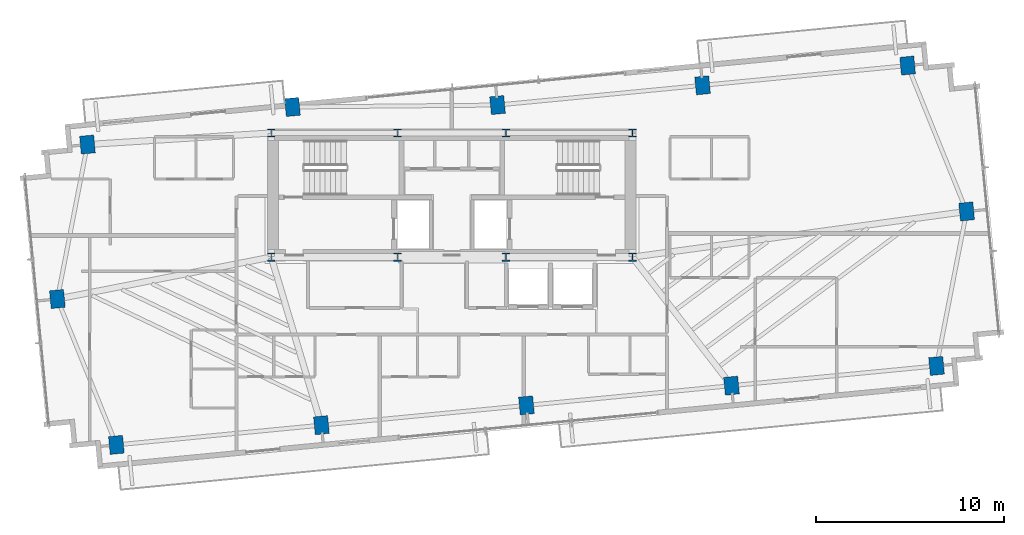
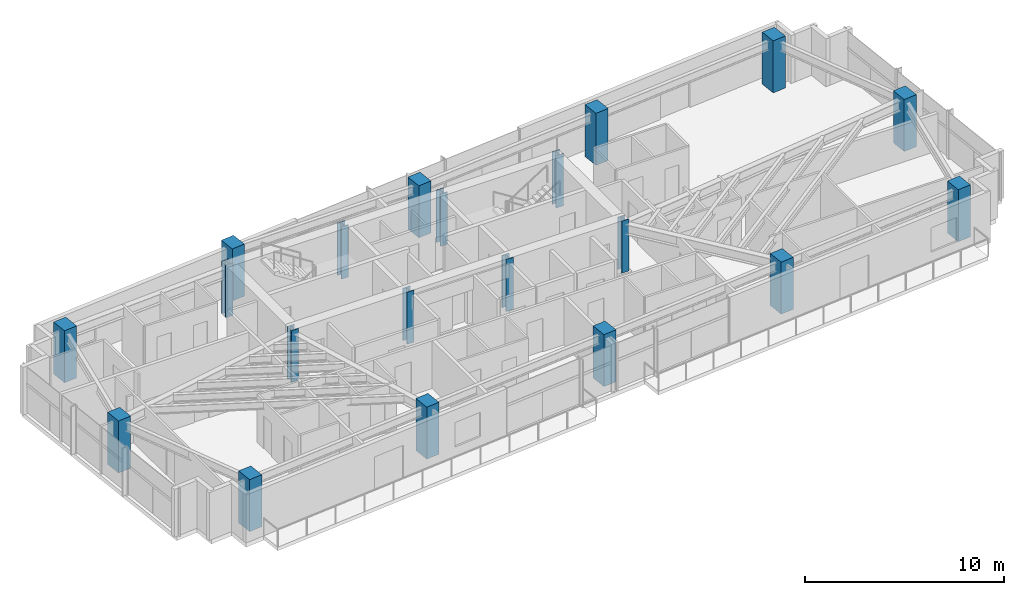
# One storey, part 1 of 18: 20 columns.
"""IFC4 building model written with IfcOpenShell, lengths in metres."""

import ifcopenshell
import ifcopenshell.guid

model = None  # the IFC model being written
_history = None  # IfcOwnerHistory: only IFC2X3 demands one
_inside = {}  # id of a spatial element -> (the spatial element, [elements in it])
_under = {}  # id of a project, library or spatial element -> (it, [spatial elements below it])
_declared = {}  # id of a project -> (the project, [libraries it declares])
_typed = {}  # id of a type object -> (the type object, [elements of that type])
_made_of = {}  # id of a material, layer set ... -> (it, [elements and type objects made of it])


def new_model(schema):
    """Start an empty IFC model of exactly this schema.

    Asked for "IFC4X3", IfcOpenShell would pick the latest addendum, in which some entities
    have other attributes; the version numbers below select the first issue.
    IFC2X3 requires an IfcOwnerHistory on every rooted entity: one is made here for all.
    """
    global model, _history
    if schema == "IFC4X3":
        model = ifcopenshell.file(schema_version=(4, 3, 0, 0))
    else:
        model = ifcopenshell.file(schema=schema)
    _inside.clear()
    _under.clear()
    _declared.clear()
    _typed.clear()
    _made_of.clear()
    _history = None
    if model.schema == "IFC2X3":
        org = make("IfcOrganization", Name="unknown")
        user = make(
            "IfcPersonAndOrganization",
            ThePerson=make("IfcPerson", FamilyName="unknown"),
            TheOrganization=org,
        )
        app = make(
            "IfcApplication",
            ApplicationDeveloper=org,
            Version="unknown",
            ApplicationFullName="unknown",
            ApplicationIdentifier="unknown",
        )
        _history = make(
            "IfcOwnerHistory",
            OwningUser=user,
            OwningApplication=app,
            ChangeAction="ADDED",
            CreationDate=0,
        )
    return model


def make(cls, **values):
    """One entity of the class cls with the attributes given. An attribute that is None is left unset."""
    return model.create_entity(
        cls, **{name: value for name, value in values.items() if value is not None}
    )


def rooted(cls, **values):
    """An entity with a GlobalId (a new one), such as an element, a storey or a relation."""
    return make(cls, GlobalId=ifcopenshell.guid.new(), OwnerHistory=_history, **values)


def si_unit(unit_type, name, prefix=None):
    """IfcSIUnit, for example si_unit("LENGTHUNIT", "METRE", prefix="MILLI")."""
    return make("IfcSIUnit", UnitType=unit_type, Prefix=prefix, Name=name)


def assignment(units):
    """IfcUnitAssignment: the units of a project."""
    return None if units is None else make("IfcUnitAssignment", Units=units)


def point(xyz):
    """IfcCartesianPoint."""
    return None if xyz is None else make("IfcCartesianPoint", Coordinates=xyz)


def direction(xyz):
    """IfcDirection."""
    return None if xyz is None else make("IfcDirection", DirectionRatios=xyz)


def frame(location, z_axis=None, x_axis=None):
    """IfcAxis2Placement3D, a coordinate frame: its origin and axes. An axis left out is left unset."""
    return make(
        "IfcAxis2Placement3D",
        Location=point(location),
        Axis=direction(z_axis),
        RefDirection=direction(x_axis),
    )


def frame_2d(location, x_axis=None):
    """IfcAxis2Placement2D, a coordinate frame in the plane: its origin and x axis."""
    return make(
        "IfcAxis2Placement2D", Location=point(location), RefDirection=direction(x_axis)
    )


def origin():
    """The frame at (0, 0, 0) with its axes left unset."""
    return frame((0.0, 0.0, 0.0))


def origin_2d():
    """The frame at (0, 0) in the plane with its x axis left unset."""
    return frame_2d((0.0, 0.0))


def place(relative_to, where):
    """IfcLocalPlacement: puts the frame where relative to a parent placement (None: the world)."""
    return make(
        "IfcLocalPlacement", PlacementRelTo=relative_to, RelativePlacement=where
    )


def context(
    kind, dimensions, precision=None, world=None, true_north=None, identifier=None
):
    """IfcGeometricRepresentationContext, for example the 3D "Model" context."""
    return make(
        "IfcGeometricRepresentationContext",
        ContextIdentifier=identifier,
        ContextType=kind,
        CoordinateSpaceDimension=dimensions,
        Precision=precision,
        WorldCoordinateSystem=world,
        TrueNorth=true_north,
    )


def subcontext(parent, identifier, kind, view, scale=None):
    """IfcGeometricRepresentationSubContext, for example "Body" below "Model"."""
    return make(
        "IfcGeometricRepresentationSubContext",
        ContextIdentifier=identifier,
        ContextType=kind,
        ParentContext=parent,
        TargetScale=scale,
        TargetView=view,
    )


def project(units=None, contexts=None):
    """IfcProject with its units and contexts."""
    return rooted(
        "IfcProject",
        Name="project",
        RepresentationContexts=contexts,
        UnitsInContext=assignment(units),
    )


def spatial(cls, under=None, at=None, **own):
    """A site, building, storey or space (cls), placed at a placement, below another one or the project."""
    s = rooted(cls, ObjectPlacement=at, **own)
    if under is not None:
        _under.setdefault(under.id(), (under, []))[1].append(s)
    return s


def profile(cls, at=None, kind="AREA", **sizes):
    """A parametric profile (cls). Its sizes go by their IFC names, for example OverallWidth=200.0."""
    return make(cls, ProfileType=kind, Position=at, **sizes)


def rectangle(**sizes):
    """IfcRectangleProfileDef."""
    return profile("IfcRectangleProfileDef", **sizes)


def i_section(**sizes):
    """IfcIShapeProfileDef."""
    return profile("IfcIShapeProfileDef", **sizes)


def extrude(swept, where, along, depth):
    """IfcExtrudedAreaSolid: the profile swept, set in the frame where, extruded along a direction by depth."""
    return make(
        "IfcExtrudedAreaSolid",
        SweptArea=swept,
        Position=where,
        ExtrudedDirection=direction(along),
        Depth=depth,
    )


def shape(context_of_items, identifier, shape_type, items):
    """IfcShapeRepresentation: the items that make up one representation, for example the "Body"."""
    return make(
        "IfcShapeRepresentation",
        ContextOfItems=context_of_items,
        RepresentationIdentifier=identifier,
        RepresentationType=shape_type,
        Items=items,
    )


def source(mapping_origin, context_of_items, identifier, shape_type, items):
    """IfcRepresentationMap: a shape defined once, which mapped items show again and again."""
    return make(
        "IfcRepresentationMap",
        MappingOrigin=mapping_origin,
        MappedRepresentation=shape(context_of_items, identifier, shape_type, items),
    )


def transform(
    local_origin,
    x_axis=None,
    y_axis=None,
    z_axis=None,
    scale=None,
    scale2=None,
    scale3=None,
    uniform=True,
):
    """IfcCartesianTransformationOperator3D, or its non-uniform kind. x_axis, y_axis, z_axis: its Axis1, 2, 3."""
    if uniform:
        return make(
            "IfcCartesianTransformationOperator3D",
            Axis1=direction(x_axis),
            Axis2=direction(y_axis),
            LocalOrigin=point(local_origin),
            Scale=scale,
            Axis3=direction(z_axis),
        )
    return make(
        "IfcCartesianTransformationOperator3DnonUniform",
        Axis1=direction(x_axis),
        Axis2=direction(y_axis),
        LocalOrigin=point(local_origin),
        Scale=scale,
        Axis3=direction(z_axis),
        Scale2=scale2,
        Scale3=scale3,
    )


def mapped(mapping_source, mapping_target):
    """IfcMappedItem: shows the shape of a source again, moved by a transform."""
    return make(
        "IfcMappedItem", MappingSource=mapping_source, MappingTarget=mapping_target
    )


def material(Name=None, Category=None):
    """IfcMaterial."""
    return make("IfcMaterial", Name=Name, Category=Category)


def material_profile(
    of_material, cross_section, Name=None, Category=None, Priority=None
):
    """IfcMaterialProfile: a cross section and its material."""
    return make(
        "IfcMaterialProfile",
        Name=Name,
        Material=of_material,
        Profile=cross_section,
        Priority=Priority,
        Category=Category,
    )


def profile_set(profiles, Name=None, composite=None):
    """IfcMaterialProfileSet."""
    return make(
        "IfcMaterialProfileSet",
        Name=Name,
        MaterialProfiles=profiles,
        CompositeProfile=composite,
    )


def made_of(thing, what):
    """Note that an element or type object is made of a material, layer set ...; save() writes the relation."""
    if what is not None:
        _made_of.setdefault(what.id(), (what, []))[1].append(thing)
    return thing


def type_object(cls, material=None, **own):
    """A type object (cls), such as IfcWallType, which elements share."""
    return made_of(rooted(cls, **own), material)


def type_shapes(of_type, sources):
    """Give a type object the sources (RepresentationMaps) that its elements show as mapped items."""
    of_type.RepresentationMaps = sources


def element(
    cls,
    number,
    at=None,
    inside=None,
    cuts=None,
    type_object=None,
    material=None,
    context=None,
    identifier="Body",
    shape_type=None,
    held_by="IfcProductDefinitionShape",
    body=None,
    shapes=None,
    **own,
):
    """One element of the class cls, such as IfcWall. Its Tag is "e" and its number.

    at: its placement. inside: the storey or other place that contains it. cuts: it is an
    opening in that element (IfcRelVoidsElement). A single representation is given by context,
    identifier, shape_type and body (its items); several are given by shapes. held_by: the class
    of the entity that holds the representations. save() writes the other relations.
    """
    e = rooted(cls, Tag="e%d" % number, ObjectPlacement=at, **own)
    if body is not None:
        shapes = [shape(context, identifier, shape_type, body)]
    if shapes is not None:
        e.Representation = make(held_by, Representations=shapes)
    if inside is not None:
        _inside.setdefault(inside.id(), (inside, []))[1].append(e)
    if cuts is not None:
        rooted(
            "IfcRelVoidsElement", RelatingBuildingElement=cuts, RelatedOpeningElement=e
        )
    if type_object is not None:
        _typed.setdefault(type_object.id(), (type_object, []))[1].append(e)
    return made_of(e, material)


def aggregate(whole, parts):
    """IfcRelAggregates: a whole, such as a stair, and the parts it consists of."""
    return rooted("IfcRelAggregates", RelatingObject=whole, RelatedObjects=parts)


def save(model, path):
    """Write the relations noted so far, then the file.

    IfcRelAggregates (storeys below a building ...), IfcRelContainedInSpatialStructure (elements
    in a storey), IfcRelDefinesByType, IfcRelAssociatesMaterial and IfcRelDeclares: one each for
    every whole, place, type object, material and project.
    """
    for whole, parts in _under.values():
        aggregate(whole, parts)
    for where, things in _inside.values():
        rooted(
            "IfcRelContainedInSpatialStructure",
            RelatedElements=things,
            RelatingStructure=where,
        )
    for kind, things in _typed.values():
        rooted("IfcRelDefinesByType", RelatedObjects=things, RelatingType=kind)
    for what, things in _made_of.values():
        rooted("IfcRelAssociatesMaterial", RelatedObjects=things, RelatingMaterial=what)
    for by, libraries in _declared.values():
        rooted("IfcRelDeclares", RelatingContext=by, RelatedDefinitions=libraries)
    model.write(path)


model = new_model("IFC4")

# Units and contexts
model_context = context("Model", 3, precision=1e-05, world=origin(), true_north=direction((0.0, 1.0)))
body_context = subcontext(model_context, "Body", "Model", "MODEL_VIEW")
ifc_project = project(units=[si_unit("LENGTHUNIT", "METRE"), si_unit("AREAUNIT", "SQUARE_METRE"), si_unit("VOLUMEUNIT", "CUBIC_METRE"), si_unit("PLANEANGLEUNIT", "RADIAN"), si_unit("MASSUNIT", "GRAM", prefix="KILO")], contexts=[model_context])

# Site, building, storey
site_placement = place(None, origin())
site = spatial("IfcSite", under=ifc_project, at=site_placement, CompositionType="ELEMENT")
building_placement = place(site_placement, origin())
building = spatial("IfcBuilding", under=site, at=building_placement, Name="Astriad Promenade Condominiums", CompositionType="ELEMENT")
storey_placement = place(building_placement, frame((0.0, 0.0, 205.0)))
storey = spatial("IfcBuildingStorey", under=building, at=storey_placement, Name="L59", CompositionType="ELEMENT", Elevation=205.0)

# Columns
ifc_material_1 = material(Name="Steel ASTM A992 Grade 50", Category="steel")
ifc_material_profile_1 = material_profile(ifc_material_1, i_section(OverallWidth=0.41552734375, OverallDepth=0.445556640625, WebThickness=0.0390625, FlangeThickness=0.062744140625, FilletRadius=0.017822265625, at=origin_2d()), Name="W14X342")
ifc_profile_set_1 = profile_set([ifc_material_profile_1], Name="Steel ASTM A992 Grade 50")
column_type_1 = type_object("IfcColumnType", Name="STEEL CORE PILASTER W14X342", PredefinedType="PILASTER", material=ifc_profile_set_1)
shared_shape_1 = source(origin(), body_context, "Body", "SweptSolid", [
    extrude(i_section(OverallWidth=0.41552734375, OverallDepth=0.445556640625, WebThickness=0.0390625, FlangeThickness=0.062744140625, FilletRadius=0.017822265625, at=origin_2d()), origin(), (0.0, 0.0, 1.0), 3.196044921875),
])
type_shapes(column_type_1, [shared_shape_1])
for number, where, z_axis, x_axis, name in (
    (1, (26.39990234375, 17.39990234375, 0.001953125), (0.0, 0.0, 1.0), (1.0, 0.0, 0.0), "Core Pilaster Column CP1 (L59)"),
    (2, (33.1201171875, 17.39990234375, 0.001953125), (0.0, 0.0, 1.0), (1.0, 0.0, 0.0), "Core Pilaster Column CP2 (L59)"),
    (3, (38.8798828125, 17.39990234375, 0.001953125), (0.0, 0.0, 1.0), (1.0, 0.0, 0.0), "Core Pilaster Column CP3 (L59)"),
    (4, (45.60009765625, 17.39990234375, 0.001953125), (0.0, 0.0, 1.0), (1.0, 0.0, 0.0), "Core Pilaster Column CP4 (L59)"),
    (5, (26.39990234375, 24.0, 0.001953125), (0.0, 0.0, 1.0), (1.0, 0.0, 0.0), "Core Pilaster Column CP5 (L59)"),
    (6, (33.1201171875, 24.0, 0.001953125), (0.0, 0.0, 1.0), (1.0, 0.0, 0.0), "Core Pilaster Column CP6 (L59)"),
    (7, (38.8798828125, 24.0, 0.001953125), (0.0, 0.0, 1.0), (1.0, 0.0, 0.0), "Core Pilaster Column CP7 (L59)"),
    (8, (45.60009765625, 24.0, 0.001953125), (0.0, 0.0, 1.0), (1.0, 0.0, 0.0), "Core Pilaster Column CP8 (L59)"),
):
    element("IfcColumn", number, at=place(storey_placement, frame(where, z_axis=z_axis, x_axis=x_axis)), inside=storey, type_object=column_type_1, Name=name, PredefinedType="PILASTER", context=body_context, shape_type="MappedRepresentation", body=[
        mapped(shared_shape_1, transform((0.0, 0.0, 0.0), scale=1.0)),
    ])
ifc_material_2 = material(Name="Concrete C50/60", Category="concrete")
ifc_material_profile_2 = material_profile(ifc_material_2, rectangle(XDim=0.75, YDim=0.949951171875, at=origin_2d()), Name="RC-COL-950X750")
ifc_profile_set_2 = profile_set([ifc_material_profile_2], Name="Concrete C50/60")
column_type_2 = type_object("IfcColumnType", Name="CONCRETE TOWER COLUMN 950X750", PredefinedType="COLUMN", material=ifc_profile_set_2)
shared_shape_2 = source(origin(), body_context, "Body", "SweptSolid", [
    extrude(rectangle(XDim=0.75, YDim=0.949951171875, at=origin_2d()), origin(), (0.0, 0.0, 1.0), 3.196044921875),
])
type_shapes(column_type_2, [shared_shape_2])
for number, where, z_axis, x_axis, name in (
    (9, (18.16943359375, 7.41796875, 0.001953125), (0.0, 0.0, 1.0), (0.995396198367, 0.09584575252, 0.0), "Perimeter Column PC01 (L59)"),
    (10, (29.069091796875, 8.46728515625, 0.001953125), (0.0, 0.0, 1.0), (0.995396198367, 0.09584575252, 0.0), "Perimeter Column PC02 (L59)"),
    (11, (39.96875, 9.516845703125, 0.001953125), (0.0, 0.0, 1.0), (0.995396198367, 0.09584575252, 0.0), "Perimeter Column PC03 (L59)"),
    (12, (50.868408203125, 10.56640625, 0.001953125), (0.0, 0.0, 1.0), (0.995396198367, 0.09584575252, 0.0), "Perimeter Column PC04 (L59)"),
    (13, (61.767822265625, 11.615966796875, 0.001953125), (0.0, 0.0, 1.0), (0.995396198367, 0.09584575252, 0.0), "Perimeter Column PC05 (L59)"),
    (14, (16.632080078125, 23.384033203125, 0.001953125), (0.0, 0.0, 1.0), (0.995396198367, 0.09584575252, 0.0), "Perimeter Column PC06 (L59)"),
    (15, (27.53173828125, 25.3798828125, 0.001953125), (0.0, 0.0, 1.0), (0.995396198367, 0.09584575252, 0.0), "Perimeter Column PC07 (L59)"),
    (16, (38.431396484375, 25.483154296875, 0.001953125), (0.0, 0.0, 1.0), (0.995396198367, 0.09584575252, 0.0), "Perimeter Column PC08 (L59)"),
    (17, (49.330810546875, 26.53271484375, 0.001953125), (0.0, 0.0, 1.0), (0.995396198367, 0.09584575252, 0.0), "Perimeter Column PC09 (L59)"),
    (18, (60.23046875, 27.58203125, 0.001953125), (0.0, 0.0, 1.0), (0.995396198367, 0.09584575252, 0.0), "Perimeter Column PC10 (L59)"),
    (19, (15.03173828125, 15.1728515625, 0.001953125), (0.0, 0.0, 1.0), (0.995396198367, 0.09584575252, 0.0), "Perimeter Column PC11 (L59)"),
    (20, (63.3681640625, 19.8271484375, 0.001953125), (0.0, 0.0, 1.0), (0.995396198367, 0.09584575252, 0.0), "Perimeter Column PC12 (L59)"),
):
    element("IfcColumn", number, at=place(storey_placement, frame(where, z_axis=z_axis, x_axis=x_axis)), inside=storey, type_object=column_type_2, Name=name, PredefinedType="COLUMN", context=body_context, shape_type="MappedRepresentation", body=[
        mapped(shared_shape_2, transform((0.0, 0.0, 0.0), scale=1.0)),
    ])

save(model, "model.ifc")
